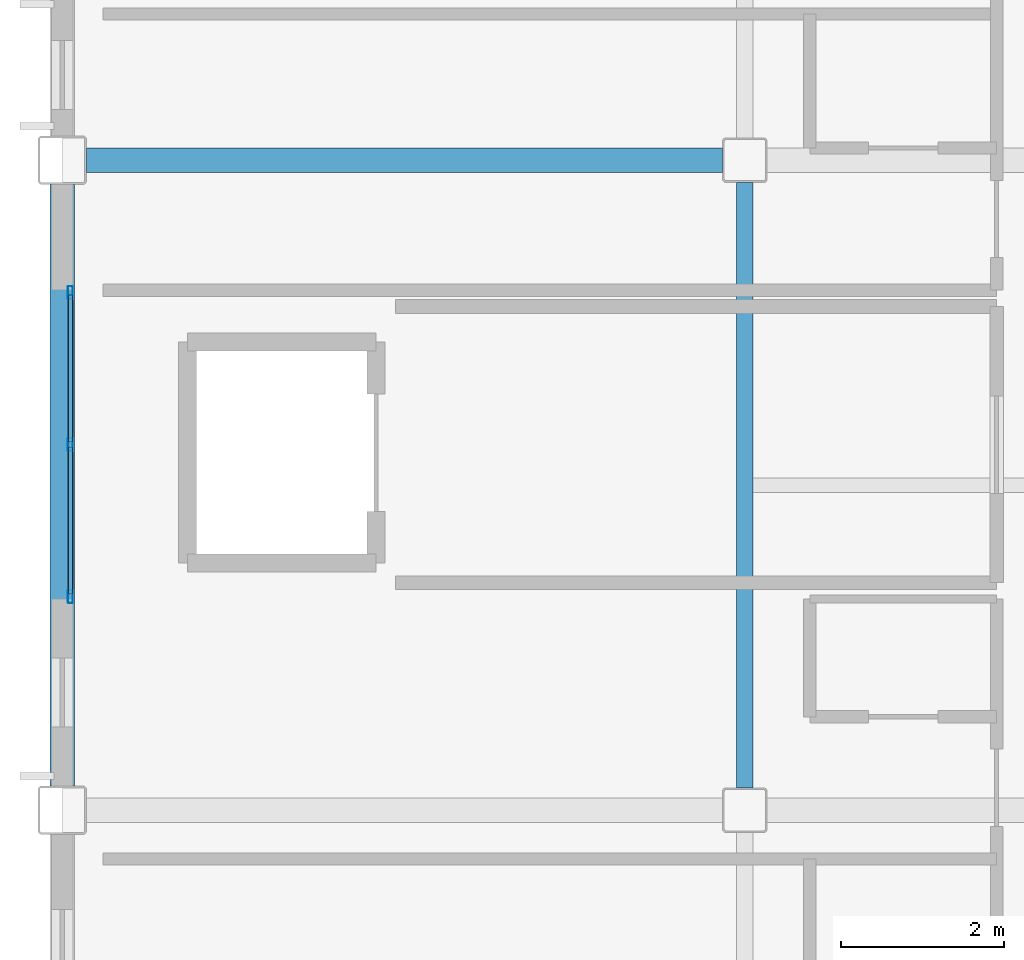
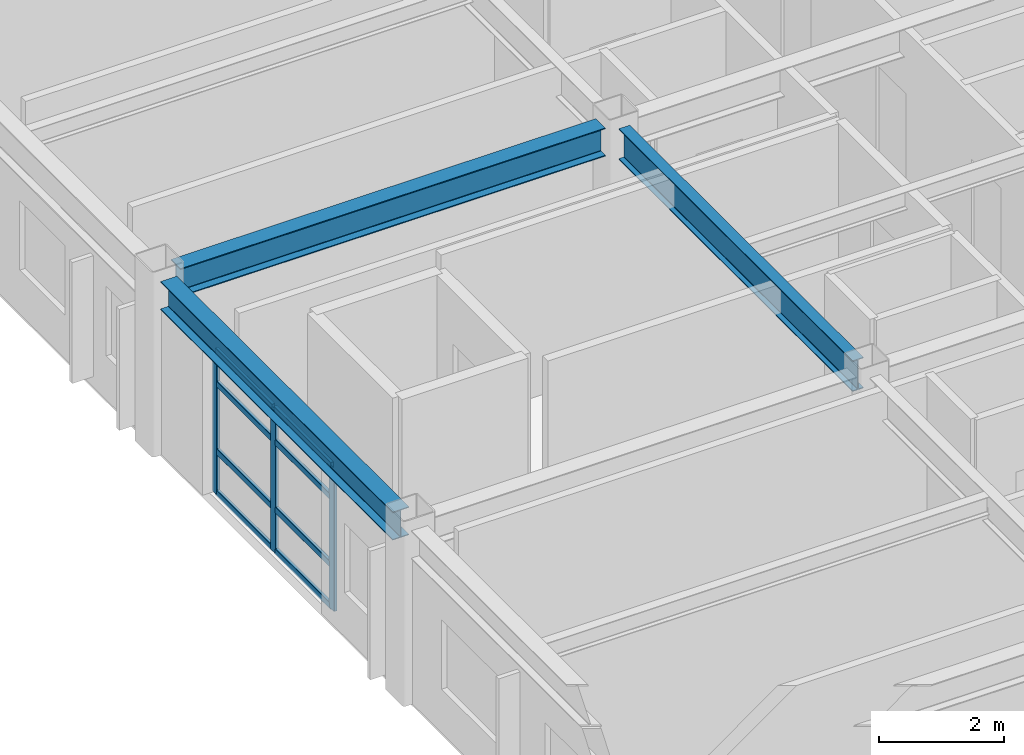
# One storey, part 8 of 38: 11 members, 3 beams, 1 element without a shape of its own.
"""IFC4 building model written with IfcOpenShell, lengths in metres."""

from ifc_helpers import new_model, si_unit, direction, frame, origin, origin_2d, place, context, subcontext, project, spatial, hollow_rectangle, i_section, extrude, material, layer, layer_set, material_profile, profile_set, type_object, element, aggregate, save


model = new_model("IFC4")

# Units and contexts
model_context = context("Model", 3, precision=1e-05, world=origin(), true_north=direction((0.0, 1.0)))
body_context = subcontext(model_context, "Body", "Model", "MODEL_VIEW")
ifc_project = project(units=[si_unit("LENGTHUNIT", "METRE"), si_unit("AREAUNIT", "SQUARE_METRE"), si_unit("VOLUMEUNIT", "CUBIC_METRE"), si_unit("PLANEANGLEUNIT", "RADIAN"), si_unit("MASSUNIT", "GRAM", prefix="KILO")], contexts=[model_context])

# Site, building, storey
site_placement = place(None, origin())
site = spatial("IfcSite", under=ifc_project, at=site_placement, CompositionType="ELEMENT")
building_placement = place(site_placement, origin())
building = spatial("IfcBuilding", under=site, at=building_placement, Name="Kazehara Bluff Congress Hotel", CompositionType="ELEMENT")
storey_placement = place(building_placement, frame((0.0, 0.0, 24.60009765625)))
storey = spatial("IfcBuildingStorey", under=building, at=storey_placement, Name="L05", CompositionType="ELEMENT", Elevation=24.60009765625)

# Curtain wall, members
ifc_material_1 = material(Name="Anodised aluminium", Category="aluminium")
ifc_layer = layer(ifc_material_1, 0.159912109375)
ifc_layer_set = layer_set([ifc_layer], Name="Anodised aluminium")
curtain_wall_type = type_object("IfcCurtainWallType", Name="TP-CW-176", PredefinedType="NOTDEFINED", material=ifc_layer_set)
curtain_wall_placement = place(storey_placement, origin())
curtain_wall = element("IfcCurtainWall", 1, at=curtain_wall_placement, inside=storey, type_object=curtain_wall_type, Name="L05 curtain wall CW-176 CW-ENC-V5-L05-14380-2850", PredefinedType="NOTDEFINED")
ifc_material_2 = material(Name="Anodised aluminium", Category="aluminium")
ifc_material_profile_1 = material_profile(ifc_material_2, hollow_rectangle(XDim=0.06005859375, YDim=0.159912109375, WallThickness=0.00390625, InnerFilletRadius=0.00390625, OuterFilletRadius=0.008056640625, at=origin_2d()))
ifc_profile_set_1 = profile_set([ifc_material_profile_1], Name="Anodised aluminium")
member_type_1 = type_object("IfcMemberType", Name="TP-CWM-01", PredefinedType="MULLION", material=ifc_profile_set_1)
member_1_placement = place(storey_placement, frame((143.800048828125, 26.6298828125, 0.0), z_axis=(0.0, 0.0, 1.0), x_axis=(-1.0, 0.0, 0.0)))
member_1 = element("IfcMember", 2, at=member_1_placement, type_object=member_type_1, Name="CW-176 mullion 1", PredefinedType="MULLION", context=body_context, shape_type="SweptSolid", body=[
    extrude(hollow_rectangle(XDim=0.06005859375, YDim=0.159912109375, WallThickness=0.00390625, InnerFilletRadius=0.00390625, OuterFilletRadius=0.008056640625, at=origin_2d()), origin(), (0.0, 0.0, 1.0), 2.804931640625),
])
member_2_placement = place(storey_placement, frame((143.800048828125, 28.5, 0.0), z_axis=(0.0, 0.0, 1.0), x_axis=(-1.0, 0.0, 0.0)))
member_2 = element("IfcMember", 3, at=member_2_placement, type_object=member_type_1, Name="CW-176 mullion 2", PredefinedType="MULLION", context=body_context, shape_type="SweptSolid", body=[
    extrude(hollow_rectangle(XDim=0.06005859375, YDim=0.159912109375, WallThickness=0.00390625, InnerFilletRadius=0.00390625, OuterFilletRadius=0.008056640625, at=origin_2d()), origin(), (0.0, 0.0, 1.0), 2.804931640625),
])
member_3_placement = place(storey_placement, frame((143.800048828125, 30.3701171875, 0.0), z_axis=(0.0, 0.0, 1.0), x_axis=(-1.0, 0.0, 0.0)))
member_3 = element("IfcMember", 4, at=member_3_placement, type_object=member_type_1, Name="CW-176 mullion 3", PredefinedType="MULLION", context=body_context, shape_type="SweptSolid", body=[
    extrude(hollow_rectangle(XDim=0.06005859375, YDim=0.159912109375, WallThickness=0.00390625, InnerFilletRadius=0.00390625, OuterFilletRadius=0.008056640625, at=origin_2d()), origin(), (0.0, 0.0, 1.0), 2.804931640625),
])
ifc_material_3 = material(Name="Anodised aluminium", Category="aluminium")
ifc_material_profile_2 = material_profile(ifc_material_3, hollow_rectangle(XDim=0.06005859375, YDim=0.1201171875, WallThickness=0.00390625, InnerFilletRadius=0.00390625, OuterFilletRadius=0.008056640625, at=origin_2d()))
ifc_profile_set_2 = profile_set([ifc_material_profile_2], Name="Anodised aluminium")
member_type_2 = type_object("IfcMemberType", Name="TP-CWT-01", PredefinedType="USERDEFINED", material=ifc_profile_set_2)
member_4_placement = place(storey_placement, frame((143.800048828125, 26.659912109375, 0.02978515625), z_axis=(0.0, 1.0, 0.0), x_axis=(-1.0, 0.0, 0.0)))
member_4 = element("IfcMember", 5, at=member_4_placement, type_object=member_type_2, Name="CW-176 transom 1.1", ObjectType="TRANSOM", PredefinedType="USERDEFINED", context=body_context, shape_type="SweptSolid", body=[
    extrude(hollow_rectangle(XDim=0.06005859375, YDim=0.1201171875, WallThickness=0.00390625, InnerFilletRadius=0.00390625, OuterFilletRadius=0.008056640625, at=origin_2d()), origin(), (0.0, 0.0, 1.0), 1.81005859375),
])
member_5_placement = place(storey_placement, frame((143.800048828125, 26.659912109375, 0.83984375), z_axis=(0.0, 1.0, 0.0), x_axis=(-1.0, 0.0, 0.0)))
member_5 = element("IfcMember", 6, at=member_5_placement, type_object=member_type_2, Name="CW-176 transom 1.2", ObjectType="TRANSOM", PredefinedType="USERDEFINED", context=body_context, shape_type="SweptSolid", body=[
    extrude(hollow_rectangle(XDim=0.06005859375, YDim=0.1201171875, WallThickness=0.00390625, InnerFilletRadius=0.00390625, OuterFilletRadius=0.008056640625, at=origin_2d()), origin(), (0.0, 0.0, 1.0), 1.81005859375),
])
member_6_placement = place(storey_placement, frame((143.800048828125, 26.659912109375, 2.15478515625), z_axis=(0.0, 1.0, 0.0), x_axis=(-1.0, 0.0, 0.0)))
member_6 = element("IfcMember", 7, at=member_6_placement, type_object=member_type_2, Name="CW-176 transom 1.3", ObjectType="TRANSOM", PredefinedType="USERDEFINED", context=body_context, shape_type="SweptSolid", body=[
    extrude(hollow_rectangle(XDim=0.06005859375, YDim=0.1201171875, WallThickness=0.00390625, InnerFilletRadius=0.00390625, OuterFilletRadius=0.008056640625, at=origin_2d()), origin(), (0.0, 0.0, 1.0), 1.81005859375),
])
member_7_placement = place(storey_placement, frame((143.800048828125, 26.659912109375, 2.77490234375), z_axis=(0.0, 1.0, 0.0), x_axis=(-1.0, 0.0, 0.0)))
member_7 = element("IfcMember", 8, at=member_7_placement, type_object=member_type_2, Name="CW-176 transom 1.4", ObjectType="TRANSOM", PredefinedType="USERDEFINED", context=body_context, shape_type="SweptSolid", body=[
    extrude(hollow_rectangle(XDim=0.06005859375, YDim=0.1201171875, WallThickness=0.00390625, InnerFilletRadius=0.00390625, OuterFilletRadius=0.008056640625, at=origin_2d()), origin(), (0.0, 0.0, 1.0), 1.81005859375),
])
member_8_placement = place(storey_placement, frame((143.800048828125, 28.530029296875, 0.02978515625), z_axis=(0.0, 1.0, 0.0), x_axis=(-1.0, 0.0, 0.0)))
member_8 = element("IfcMember", 9, at=member_8_placement, type_object=member_type_2, Name="CW-176 transom 2.1", ObjectType="TRANSOM", PredefinedType="USERDEFINED", context=body_context, shape_type="SweptSolid", body=[
    extrude(hollow_rectangle(XDim=0.06005859375, YDim=0.1201171875, WallThickness=0.00390625, InnerFilletRadius=0.00390625, OuterFilletRadius=0.008056640625, at=origin_2d()), origin(), (0.0, 0.0, 1.0), 1.81005859375),
])
member_9_placement = place(storey_placement, frame((143.800048828125, 28.530029296875, 0.83984375), z_axis=(0.0, 1.0, 0.0), x_axis=(-1.0, 0.0, 0.0)))
member_9 = element("IfcMember", 10, at=member_9_placement, type_object=member_type_2, Name="CW-176 transom 2.2", ObjectType="TRANSOM", PredefinedType="USERDEFINED", context=body_context, shape_type="SweptSolid", body=[
    extrude(hollow_rectangle(XDim=0.06005859375, YDim=0.1201171875, WallThickness=0.00390625, InnerFilletRadius=0.00390625, OuterFilletRadius=0.008056640625, at=origin_2d()), origin(), (0.0, 0.0, 1.0), 1.81005859375),
])
member_10_placement = place(storey_placement, frame((143.800048828125, 28.530029296875, 2.15478515625), z_axis=(0.0, 1.0, 0.0), x_axis=(-1.0, 0.0, 0.0)))
member_10 = element("IfcMember", 11, at=member_10_placement, type_object=member_type_2, Name="CW-176 transom 2.3", ObjectType="TRANSOM", PredefinedType="USERDEFINED", context=body_context, shape_type="SweptSolid", body=[
    extrude(hollow_rectangle(XDim=0.06005859375, YDim=0.1201171875, WallThickness=0.00390625, InnerFilletRadius=0.00390625, OuterFilletRadius=0.008056640625, at=origin_2d()), origin(), (0.0, 0.0, 1.0), 1.81005859375),
])
member_11_placement = place(storey_placement, frame((143.800048828125, 28.530029296875, 2.77490234375), z_axis=(0.0, 1.0, 0.0), x_axis=(-1.0, 0.0, 0.0)))
member_11 = element("IfcMember", 12, at=member_11_placement, type_object=member_type_2, Name="CW-176 transom 2.4", ObjectType="TRANSOM", PredefinedType="USERDEFINED", context=body_context, shape_type="SweptSolid", body=[
    extrude(hollow_rectangle(XDim=0.06005859375, YDim=0.1201171875, WallThickness=0.00390625, InnerFilletRadius=0.00390625, OuterFilletRadius=0.008056640625, at=origin_2d()), origin(), (0.0, 0.0, 1.0), 1.81005859375),
])
aggregate(curtain_wall, [member_1, member_2, member_3, member_4, member_5, member_6, member_7, member_8, member_9, member_10, member_11])

# Beams
ifc_material_4 = material(Name="Steel SN490B", Category="steel")
ifc_material_profile_3 = material_profile(ifc_material_4, i_section(OverallWidth=0.199951171875, OverallDepth=0.60009765625, WebThickness=0.010986328125, FlangeThickness=0.01708984375, FilletRadius=0.012939453125, at=origin_2d()))
ifc_profile_set_3 = profile_set([ifc_material_profile_3], Name="Steel SN490B")
beam_type_1 = type_object("IfcBeamType", Name="TP-G-02", PredefinedType="BEAM", material=ifc_profile_set_3)
beam_1_placement = place(storey_placement, frame((152.10009765625, 24.27490234375, 3.079833984375), z_axis=(0.0, 1.0, 0.0), x_axis=(-1.0, 0.0, 0.0)))
element("IfcBeam", 13, at=beam_1_placement, inside=storey, type_object=beam_type_1, Name="L05 girder G-02 16", PredefinedType="BEAM", context=body_context, shape_type="SweptSolid", body=[
    extrude(i_section(OverallWidth=0.199951171875, OverallDepth=0.60009765625, WebThickness=0.010986328125, FlangeThickness=0.01708984375, FilletRadius=0.012939453125, at=origin_2d()), origin(), (0.0, 0.0, 1.0), 7.4501953125),
])
ifc_material_5 = material(Name="Steel SN490B", Category="steel")
ifc_material_profile_4 = material_profile(ifc_material_5, i_section(OverallWidth=0.300048828125, OverallDepth=0.550048828125, WebThickness=0.010986328125, FlangeThickness=0.01806640625, FilletRadius=0.012939453125, at=origin_2d()))
ifc_profile_set_4 = profile_set([ifc_material_profile_4], Name="Steel SN490B")
beam_type_2 = type_object("IfcBeamType", Name="TP-G-12", PredefinedType="BEAM", material=ifc_profile_set_4)
beam_2_placement = place(storey_placement, frame((144.0, 32.0, 3.10498046875), z_axis=(1.0, 0.0, 0.0), x_axis=(0.0, 1.0, 0.0)))
element("IfcBeam", 14, at=beam_2_placement, inside=storey, type_object=beam_type_2, Name="L05 girder G-12 56", PredefinedType="BEAM", context=body_context, shape_type="SweptSolid", body=[
    extrude(i_section(OverallWidth=0.300048828125, OverallDepth=0.550048828125, WebThickness=0.010986328125, FlangeThickness=0.01806640625, FilletRadius=0.012939453125, at=origin_2d()), origin(), (0.0, 0.0, 1.0), 7.824951171875),
])
ifc_material_6 = material(Name="Steel SN490B", Category="steel")
ifc_material_profile_5 = material_profile(ifc_material_6, i_section(OverallWidth=0.300048828125, OverallDepth=0.550048828125, WebThickness=0.010986328125, FlangeThickness=0.01806640625, FilletRadius=0.012939453125, at=origin_2d()))
ifc_profile_set_5 = profile_set([ifc_material_profile_5], Name="Steel SN490B")
beam_type_3 = type_object("IfcBeamType", Name="TP-SP-01", PredefinedType="SPANDREL", material=ifc_profile_set_5)
beam_3_placement = place(storey_placement, frame((143.699951171875, 24.300048828125, 3.10498046875), z_axis=(0.0, 1.0, 0.0), x_axis=(-1.0, 0.0, 0.0)))
element("IfcBeam", 15, at=beam_3_placement, inside=storey, type_object=beam_type_3, Name="L05 girder SP-01 4", PredefinedType="SPANDREL", context=body_context, shape_type="SweptSolid", body=[
    extrude(i_section(OverallWidth=0.300048828125, OverallDepth=0.550048828125, WebThickness=0.010986328125, FlangeThickness=0.01806640625, FilletRadius=0.012939453125, at=origin_2d()), origin(), (0.0, 0.0, 1.0), 7.39990234375),
])

save(model, "model.ifc")
